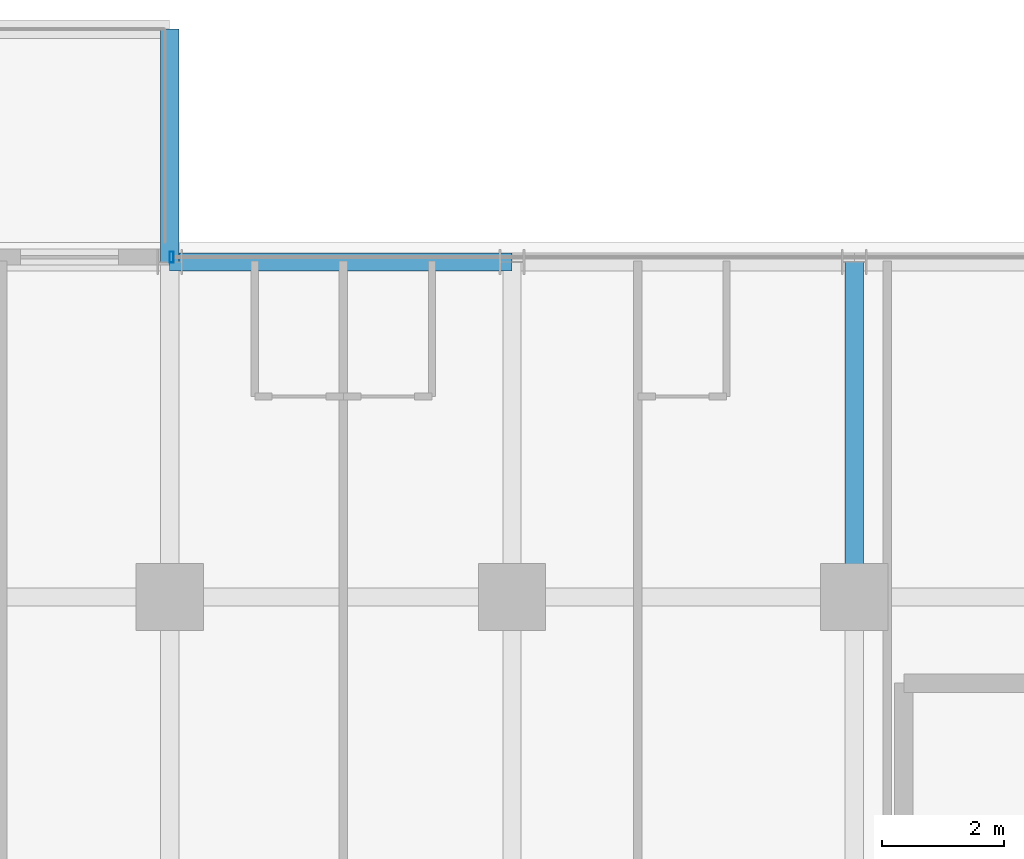
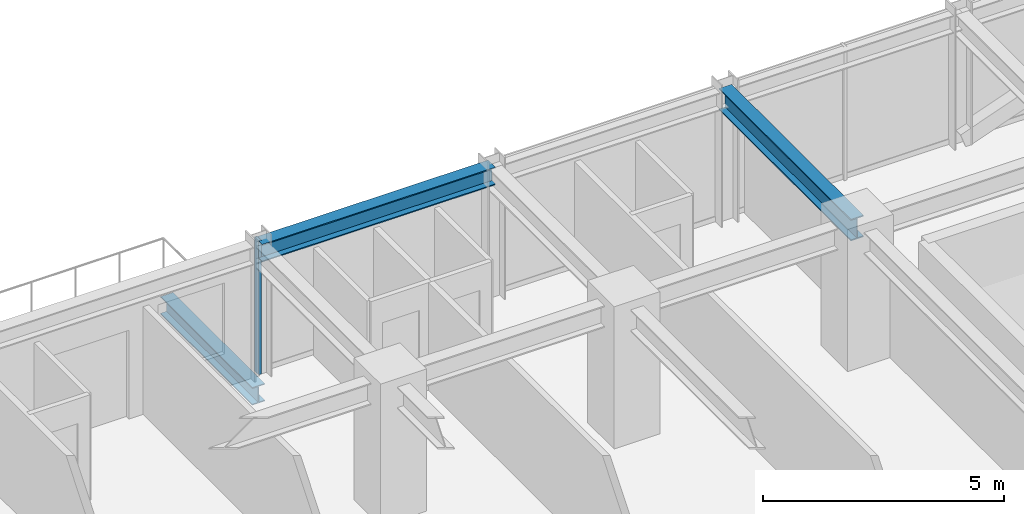
# One storey, part 19 of 32: 3 beams, 1 member, 1 element without a shape of its own.
"""IFC4 building model written with IfcOpenShell, lengths in metres."""

import ifcopenshell
import ifcopenshell.guid

model = None  # the IFC model being written
_history = None  # IfcOwnerHistory: only IFC2X3 demands one
_inside = {}  # id of a spatial element -> (the spatial element, [elements in it])
_under = {}  # id of a project, library or spatial element -> (it, [spatial elements below it])
_declared = {}  # id of a project -> (the project, [libraries it declares])
_typed = {}  # id of a type object -> (the type object, [elements of that type])
_made_of = {}  # id of a material, layer set ... -> (it, [elements and type objects made of it])


def new_model(schema):
    """Start an empty IFC model of exactly this schema.

    Asked for "IFC4X3", IfcOpenShell would pick the latest addendum, in which some entities
    have other attributes; the version numbers below select the first issue.
    IFC2X3 requires an IfcOwnerHistory on every rooted entity: one is made here for all.
    """
    global model, _history
    if schema == "IFC4X3":
        model = ifcopenshell.file(schema_version=(4, 3, 0, 0))
    else:
        model = ifcopenshell.file(schema=schema)
    _inside.clear()
    _under.clear()
    _declared.clear()
    _typed.clear()
    _made_of.clear()
    _history = None
    if model.schema == "IFC2X3":
        org = make("IfcOrganization", Name="unknown")
        user = make(
            "IfcPersonAndOrganization",
            ThePerson=make("IfcPerson", FamilyName="unknown"),
            TheOrganization=org,
        )
        app = make(
            "IfcApplication",
            ApplicationDeveloper=org,
            Version="unknown",
            ApplicationFullName="unknown",
            ApplicationIdentifier="unknown",
        )
        _history = make(
            "IfcOwnerHistory",
            OwningUser=user,
            OwningApplication=app,
            ChangeAction="ADDED",
            CreationDate=0,
        )
    return model


def make(cls, **values):
    """One entity of the class cls with the attributes given. An attribute that is None is left unset."""
    return model.create_entity(
        cls, **{name: value for name, value in values.items() if value is not None}
    )


def rooted(cls, **values):
    """An entity with a GlobalId (a new one), such as an element, a storey or a relation."""
    return make(cls, GlobalId=ifcopenshell.guid.new(), OwnerHistory=_history, **values)


def si_unit(unit_type, name, prefix=None):
    """IfcSIUnit, for example si_unit("LENGTHUNIT", "METRE", prefix="MILLI")."""
    return make("IfcSIUnit", UnitType=unit_type, Prefix=prefix, Name=name)


def assignment(units):
    """IfcUnitAssignment: the units of a project."""
    return None if units is None else make("IfcUnitAssignment", Units=units)


def point(xyz):
    """IfcCartesianPoint."""
    return None if xyz is None else make("IfcCartesianPoint", Coordinates=xyz)


def direction(xyz):
    """IfcDirection."""
    return None if xyz is None else make("IfcDirection", DirectionRatios=xyz)


def frame(location, z_axis=None, x_axis=None):
    """IfcAxis2Placement3D, a coordinate frame: its origin and axes. An axis left out is left unset."""
    return make(
        "IfcAxis2Placement3D",
        Location=point(location),
        Axis=direction(z_axis),
        RefDirection=direction(x_axis),
    )


def frame_2d(location, x_axis=None):
    """IfcAxis2Placement2D, a coordinate frame in the plane: its origin and x axis."""
    return make(
        "IfcAxis2Placement2D", Location=point(location), RefDirection=direction(x_axis)
    )


def origin():
    """The frame at (0, 0, 0) with its axes left unset."""
    return frame((0.0, 0.0, 0.0))


def origin_2d():
    """The frame at (0, 0) in the plane with its x axis left unset."""
    return frame_2d((0.0, 0.0))


def place(relative_to, where):
    """IfcLocalPlacement: puts the frame where relative to a parent placement (None: the world)."""
    return make(
        "IfcLocalPlacement", PlacementRelTo=relative_to, RelativePlacement=where
    )


def context(
    kind, dimensions, precision=None, world=None, true_north=None, identifier=None
):
    """IfcGeometricRepresentationContext, for example the 3D "Model" context."""
    return make(
        "IfcGeometricRepresentationContext",
        ContextIdentifier=identifier,
        ContextType=kind,
        CoordinateSpaceDimension=dimensions,
        Precision=precision,
        WorldCoordinateSystem=world,
        TrueNorth=true_north,
    )


def subcontext(parent, identifier, kind, view, scale=None):
    """IfcGeometricRepresentationSubContext, for example "Body" below "Model"."""
    return make(
        "IfcGeometricRepresentationSubContext",
        ContextIdentifier=identifier,
        ContextType=kind,
        ParentContext=parent,
        TargetScale=scale,
        TargetView=view,
    )


def project(units=None, contexts=None):
    """IfcProject with its units and contexts."""
    return rooted(
        "IfcProject",
        Name="project",
        RepresentationContexts=contexts,
        UnitsInContext=assignment(units),
    )


def spatial(cls, under=None, at=None, **own):
    """A site, building, storey or space (cls), placed at a placement, below another one or the project."""
    s = rooted(cls, ObjectPlacement=at, **own)
    if under is not None:
        _under.setdefault(under.id(), (under, []))[1].append(s)
    return s


def profile(cls, at=None, kind="AREA", **sizes):
    """A parametric profile (cls). Its sizes go by their IFC names, for example OverallWidth=200.0."""
    return make(cls, ProfileType=kind, Position=at, **sizes)


def hollow_rectangle(**sizes):
    """IfcRectangleHollowProfileDef."""
    return profile("IfcRectangleHollowProfileDef", **sizes)


def i_section(**sizes):
    """IfcIShapeProfileDef."""
    return profile("IfcIShapeProfileDef", **sizes)


def extrude(swept, where, along, depth):
    """IfcExtrudedAreaSolid: the profile swept, set in the frame where, extruded along a direction by depth."""
    return make(
        "IfcExtrudedAreaSolid",
        SweptArea=swept,
        Position=where,
        ExtrudedDirection=direction(along),
        Depth=depth,
    )


def shape(context_of_items, identifier, shape_type, items):
    """IfcShapeRepresentation: the items that make up one representation, for example the "Body"."""
    return make(
        "IfcShapeRepresentation",
        ContextOfItems=context_of_items,
        RepresentationIdentifier=identifier,
        RepresentationType=shape_type,
        Items=items,
    )


def source(mapping_origin, context_of_items, identifier, shape_type, items):
    """IfcRepresentationMap: a shape defined once, which mapped items show again and again."""
    return make(
        "IfcRepresentationMap",
        MappingOrigin=mapping_origin,
        MappedRepresentation=shape(context_of_items, identifier, shape_type, items),
    )


def transform(
    local_origin,
    x_axis=None,
    y_axis=None,
    z_axis=None,
    scale=None,
    scale2=None,
    scale3=None,
    uniform=True,
):
    """IfcCartesianTransformationOperator3D, or its non-uniform kind. x_axis, y_axis, z_axis: its Axis1, 2, 3."""
    if uniform:
        return make(
            "IfcCartesianTransformationOperator3D",
            Axis1=direction(x_axis),
            Axis2=direction(y_axis),
            LocalOrigin=point(local_origin),
            Scale=scale,
            Axis3=direction(z_axis),
        )
    return make(
        "IfcCartesianTransformationOperator3DnonUniform",
        Axis1=direction(x_axis),
        Axis2=direction(y_axis),
        LocalOrigin=point(local_origin),
        Scale=scale,
        Axis3=direction(z_axis),
        Scale2=scale2,
        Scale3=scale3,
    )


def mapped(mapping_source, mapping_target):
    """IfcMappedItem: shows the shape of a source again, moved by a transform."""
    return make(
        "IfcMappedItem", MappingSource=mapping_source, MappingTarget=mapping_target
    )


def material(Name=None, Category=None):
    """IfcMaterial."""
    return make("IfcMaterial", Name=Name, Category=Category)


def material_profile(
    of_material, cross_section, Name=None, Category=None, Priority=None
):
    """IfcMaterialProfile: a cross section and its material."""
    return make(
        "IfcMaterialProfile",
        Name=Name,
        Material=of_material,
        Profile=cross_section,
        Priority=Priority,
        Category=Category,
    )


def profile_set(profiles, Name=None, composite=None):
    """IfcMaterialProfileSet."""
    return make(
        "IfcMaterialProfileSet",
        Name=Name,
        MaterialProfiles=profiles,
        CompositeProfile=composite,
    )


def made_of(thing, what):
    """Note that an element or type object is made of a material, layer set ...; save() writes the relation."""
    if what is not None:
        _made_of.setdefault(what.id(), (what, []))[1].append(thing)
    return thing


def type_object(cls, material=None, **own):
    """A type object (cls), such as IfcWallType, which elements share."""
    return made_of(rooted(cls, **own), material)


def element(
    cls,
    number,
    at=None,
    inside=None,
    cuts=None,
    type_object=None,
    material=None,
    context=None,
    identifier="Body",
    shape_type=None,
    held_by="IfcProductDefinitionShape",
    body=None,
    shapes=None,
    **own,
):
    """One element of the class cls, such as IfcWall. Its Tag is "e" and its number.

    at: its placement. inside: the storey or other place that contains it. cuts: it is an
    opening in that element (IfcRelVoidsElement). A single representation is given by context,
    identifier, shape_type and body (its items); several are given by shapes. held_by: the class
    of the entity that holds the representations. save() writes the other relations.
    """
    e = rooted(cls, Tag="e%d" % number, ObjectPlacement=at, **own)
    if body is not None:
        shapes = [shape(context, identifier, shape_type, body)]
    if shapes is not None:
        e.Representation = make(held_by, Representations=shapes)
    if inside is not None:
        _inside.setdefault(inside.id(), (inside, []))[1].append(e)
    if cuts is not None:
        rooted(
            "IfcRelVoidsElement", RelatingBuildingElement=cuts, RelatedOpeningElement=e
        )
    if type_object is not None:
        _typed.setdefault(type_object.id(), (type_object, []))[1].append(e)
    return made_of(e, material)


def aggregate(whole, parts):
    """IfcRelAggregates: a whole, such as a stair, and the parts it consists of."""
    return rooted("IfcRelAggregates", RelatingObject=whole, RelatedObjects=parts)


def save(model, path):
    """Write the relations noted so far, then the file.

    IfcRelAggregates (storeys below a building ...), IfcRelContainedInSpatialStructure (elements
    in a storey), IfcRelDefinesByType, IfcRelAssociatesMaterial and IfcRelDeclares: one each for
    every whole, place, type object, material and project.
    """
    for whole, parts in _under.values():
        aggregate(whole, parts)
    for where, things in _inside.values():
        rooted(
            "IfcRelContainedInSpatialStructure",
            RelatedElements=things,
            RelatingStructure=where,
        )
    for kind, things in _typed.values():
        rooted("IfcRelDefinesByType", RelatedObjects=things, RelatingType=kind)
    for what, things in _made_of.values():
        rooted("IfcRelAssociatesMaterial", RelatedObjects=things, RelatingMaterial=what)
    for by, libraries in _declared.values():
        rooted("IfcRelDeclares", RelatingContext=by, RelatedDefinitions=libraries)
    model.write(path)


model = new_model("IFC4")

# Units and contexts
model_context = context("Model", 3, precision=1e-05, world=origin(), true_north=direction((0.0, 1.0)))
body_context = subcontext(model_context, "Body", "Model", "MODEL_VIEW")
ifc_project = project(units=[si_unit("LENGTHUNIT", "METRE"), si_unit("AREAUNIT", "SQUARE_METRE"), si_unit("VOLUMEUNIT", "CUBIC_METRE"), si_unit("PLANEANGLEUNIT", "RADIAN"), si_unit("MASSUNIT", "GRAM", prefix="KILO")], contexts=[model_context])

# Site, building, storey
site_placement = place(None, origin())
site = spatial("IfcSite", under=ifc_project, at=site_placement, CompositionType="ELEMENT")
building_placement = place(site_placement, origin())
building = spatial("IfcBuilding", under=site, at=building_placement, Name="Nahalor Promenade Grand Hotel", CompositionType="ELEMENT")
storey_placement = place(building_placement, frame((0.0, 0.0, 152.64990234375)))
storey = spatial("IfcBuildingStorey", under=building, at=storey_placement, Name="L38", CompositionType="ELEMENT", Elevation=152.64990234375)

# Beams
ifc_material_1 = material(Name="Steel S355JR", Category="steel")
ifc_material_profile_1 = material_profile(ifc_material_1, i_section(OverallWidth=0.3, OverallDepth=0.45, WebThickness=0.014, FlangeThickness=0.026, at=origin_2d()), Name="HEB 450")
ifc_profile_set_1 = profile_set([ifc_material_profile_1], Name="Steel S355JR")
beam_type_1 = type_object("IfcBeamType", Name="Beam-Outrigger-HEB450", PredefinedType="BEAM", material=ifc_profile_set_1)
shared_shape_1 = source(origin(), body_context, "Body", "SweptSolid", [
    extrude(i_section(OverallWidth=0.3, OverallDepth=0.45, WebThickness=0.014, FlangeThickness=0.026, at=origin_2d()), origin(), (0.0, 0.0, 1.0), 3.81005859375),
])
beam_1_placement = place(storey_placement, frame((-8.39990234375, 22.47998046875, -0.5048828125), z_axis=(0.0, 1.0, 0.0), x_axis=(-1.0, 0.0, 0.0)))
element("IfcBeam", 1, at=beam_1_placement, inside=storey, type_object=beam_type_1, Name="BM-L38-BC-01-2", PredefinedType="BEAM", context=body_context, shape_type="MappedRepresentation", body=[
    mapped(shared_shape_1, transform((0.0, 0.0, 0.0), scale=1.0)),
])
ifc_material_profile_2 = material_profile(ifc_material_1, i_section(OverallWidth=0.3, OverallDepth=0.55, WebThickness=0.015, FlangeThickness=0.029, at=origin_2d()), Name="HEB 550")
ifc_profile_set_2 = profile_set([ifc_material_profile_2], Name="Steel S355JR")
beam_type_2 = type_object("IfcBeamType", Name="Beam-Girder-HEB550", PredefinedType="BEAM", material=ifc_profile_set_2)
shared_shape_2 = source(origin(), body_context, "Body", "SweptSolid", [
    extrude(i_section(OverallWidth=0.3, OverallDepth=0.55, WebThickness=0.015, FlangeThickness=0.029, at=origin_2d()), origin(), (0.0, 0.0, 1.0), 5.47998046875),
])
beam_2_placement = place(storey_placement, frame((2.800048828125, 17.0, 3.114990234375), z_axis=(0.0, 1.0, 0.0), x_axis=(-1.0, 0.0, 0.0)))
element("IfcBeam", 2, at=beam_2_placement, inside=storey, type_object=beam_type_2, Name="BM-L38-GY-3-4", PredefinedType="BEAM", context=body_context, shape_type="MappedRepresentation", body=[
    mapped(shared_shape_2, transform((0.0, 0.0, 0.0), scale=1.0)),
])
ifc_material_profile_3 = material_profile(ifc_material_1, i_section(OverallWidth=0.3, OverallDepth=0.45, WebThickness=0.014, FlangeThickness=0.026, at=origin_2d()), Name="HEB 450")
ifc_profile_set_3 = profile_set([ifc_material_profile_3], Name="Steel S355JR")
beam_type_3 = type_object("IfcBeamType", Name="Beam-Spandrel-HEB450", PredefinedType="SPANDREL", material=ifc_profile_set_3)
shared_shape_3 = source(origin(), body_context, "Body", "SweptSolid", [
    extrude(i_section(OverallWidth=0.3, OverallDepth=0.45, WebThickness=0.014, FlangeThickness=0.026, at=origin_2d()), origin(), (0.0, 0.0, 1.0), 5.599853515625),
])
beam_3_placement = place(storey_placement, frame((-8.39990234375, 22.47998046875, 3.1650390625), z_axis=(1.0, 0.0, 0.0), x_axis=(0.0, 1.0, 0.0)))
element("IfcBeam", 3, at=beam_3_placement, inside=storey, type_object=beam_type_3, Name="BM-L38-SP-N-1", PredefinedType="SPANDREL", context=body_context, shape_type="MappedRepresentation", body=[
    mapped(shared_shape_3, transform((0.0, 0.0, 0.0), scale=1.0)),
])

# Curtain wall, member
ifc_material_2 = material(Name="Anodised Bronze Aluminium EN AW-6063 T6", Category="aluminium")
curtain_wall_type = type_object("IfcCurtainWallType", Name="CW2 Typical Hotel Flush Bronze Unitised Curtain Wall", PredefinedType="USERDEFINED", material=ifc_material_2)
curtain_wall_placement = place(storey_placement, origin())
curtain_wall = element("IfcCurtainWall", 4, at=curtain_wall_placement, inside=storey, type_object=curtain_wall_type, Name="L38 Curtain Wall CW-L38-N-3", ObjectType="UNITISED_CURTAIN_WALL", PredefinedType="USERDEFINED")
ifc_material_profile_4 = material_profile(ifc_material_2, hollow_rectangle(XDim=0.065, YDim=0.18, WallThickness=0.004, at=origin_2d()), Name="CWM 65x180x4")
ifc_profile_set_4 = profile_set([ifc_material_profile_4], Name="Anodised Bronze Aluminium EN AW-6063 T6")
member_type = type_object("IfcMemberType", Name="CWM2 Typical Bronze Mullion 65x180", PredefinedType="MULLION", material=ifc_profile_set_4)
shared_shape_4 = source(origin(), body_context, "Body", "SweptSolid", [
    extrude(hollow_rectangle(XDim=0.065, YDim=0.18, WallThickness=0.004, at=origin_2d()), origin(), (0.0, 0.0, 1.0), 3.39013671875),
])
member_placement = place(storey_placement, frame((-8.367431640625, 22.56005859375, 0.0), z_axis=(0.0, 0.0, 1.0), x_axis=(1.0, 0.0, 0.0)))
member = element("IfcMember", 5, at=member_placement, type_object=member_type, Name="CW-L38-N-3 Mullion 0", PredefinedType="MULLION", context=body_context, shape_type="MappedRepresentation", body=[
    mapped(shared_shape_4, transform((0.0, 0.0, 0.0), scale=1.0)),
])
aggregate(curtain_wall, [member])

save(model, "model.ifc")
